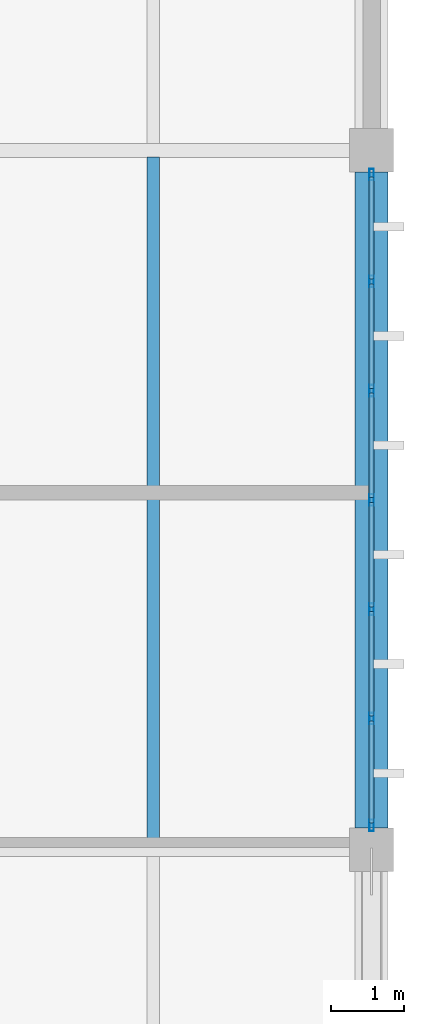
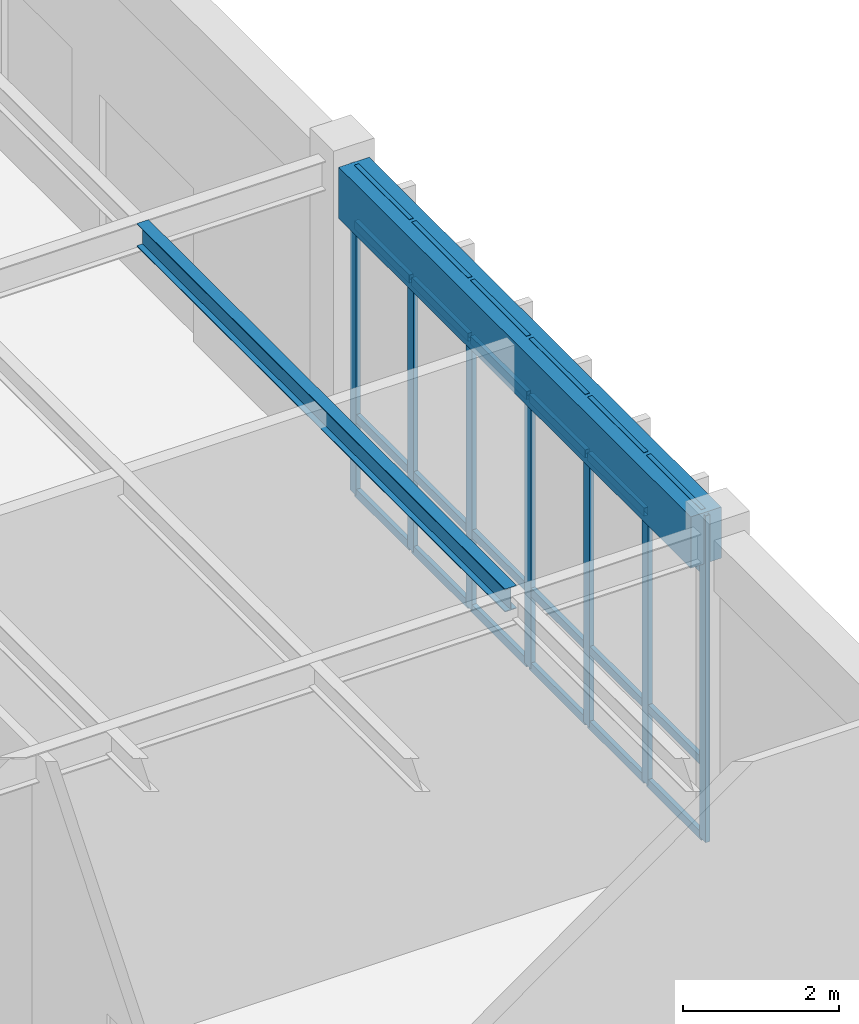
# One storey, part 108 of 188: 31 members, 2 beams, 1 element without a shape of its own.
"""IFC4 building model written with IfcOpenShell, lengths in metres."""

import ifcopenshell
import ifcopenshell.guid

model = None  # the IFC model being written
_history = None  # IfcOwnerHistory: only IFC2X3 demands one
_inside = {}  # id of a spatial element -> (the spatial element, [elements in it])
_under = {}  # id of a project, library or spatial element -> (it, [spatial elements below it])
_declared = {}  # id of a project -> (the project, [libraries it declares])
_typed = {}  # id of a type object -> (the type object, [elements of that type])
_made_of = {}  # id of a material, layer set ... -> (it, [elements and type objects made of it])


def new_model(schema):
    """Start an empty IFC model of exactly this schema.

    Asked for "IFC4X3", IfcOpenShell would pick the latest addendum, in which some entities
    have other attributes; the version numbers below select the first issue.
    IFC2X3 requires an IfcOwnerHistory on every rooted entity: one is made here for all.
    """
    global model, _history
    if schema == "IFC4X3":
        model = ifcopenshell.file(schema_version=(4, 3, 0, 0))
    else:
        model = ifcopenshell.file(schema=schema)
    _inside.clear()
    _under.clear()
    _declared.clear()
    _typed.clear()
    _made_of.clear()
    _history = None
    if model.schema == "IFC2X3":
        org = make("IfcOrganization", Name="unknown")
        user = make(
            "IfcPersonAndOrganization",
            ThePerson=make("IfcPerson", FamilyName="unknown"),
            TheOrganization=org,
        )
        app = make(
            "IfcApplication",
            ApplicationDeveloper=org,
            Version="unknown",
            ApplicationFullName="unknown",
            ApplicationIdentifier="unknown",
        )
        _history = make(
            "IfcOwnerHistory",
            OwningUser=user,
            OwningApplication=app,
            ChangeAction="ADDED",
            CreationDate=0,
        )
    return model


def make(cls, **values):
    """One entity of the class cls with the attributes given. An attribute that is None is left unset."""
    return model.create_entity(
        cls, **{name: value for name, value in values.items() if value is not None}
    )


def rooted(cls, **values):
    """An entity with a GlobalId (a new one), such as an element, a storey or a relation."""
    return make(cls, GlobalId=ifcopenshell.guid.new(), OwnerHistory=_history, **values)


def si_unit(unit_type, name, prefix=None):
    """IfcSIUnit, for example si_unit("LENGTHUNIT", "METRE", prefix="MILLI")."""
    return make("IfcSIUnit", UnitType=unit_type, Prefix=prefix, Name=name)


def assignment(units):
    """IfcUnitAssignment: the units of a project."""
    return None if units is None else make("IfcUnitAssignment", Units=units)


def point(xyz):
    """IfcCartesianPoint."""
    return None if xyz is None else make("IfcCartesianPoint", Coordinates=xyz)


def direction(xyz):
    """IfcDirection."""
    return None if xyz is None else make("IfcDirection", DirectionRatios=xyz)


def frame(location, z_axis=None, x_axis=None):
    """IfcAxis2Placement3D, a coordinate frame: its origin and axes. An axis left out is left unset."""
    return make(
        "IfcAxis2Placement3D",
        Location=point(location),
        Axis=direction(z_axis),
        RefDirection=direction(x_axis),
    )


def frame_2d(location, x_axis=None):
    """IfcAxis2Placement2D, a coordinate frame in the plane: its origin and x axis."""
    return make(
        "IfcAxis2Placement2D", Location=point(location), RefDirection=direction(x_axis)
    )


def origin():
    """The frame at (0, 0, 0) with its axes left unset."""
    return frame((0.0, 0.0, 0.0))


def origin_2d():
    """The frame at (0, 0) in the plane with its x axis left unset."""
    return frame_2d((0.0, 0.0))


def place(relative_to, where):
    """IfcLocalPlacement: puts the frame where relative to a parent placement (None: the world)."""
    return make(
        "IfcLocalPlacement", PlacementRelTo=relative_to, RelativePlacement=where
    )


def context(
    kind, dimensions, precision=None, world=None, true_north=None, identifier=None
):
    """IfcGeometricRepresentationContext, for example the 3D "Model" context."""
    return make(
        "IfcGeometricRepresentationContext",
        ContextIdentifier=identifier,
        ContextType=kind,
        CoordinateSpaceDimension=dimensions,
        Precision=precision,
        WorldCoordinateSystem=world,
        TrueNorth=true_north,
    )


def subcontext(parent, identifier, kind, view, scale=None):
    """IfcGeometricRepresentationSubContext, for example "Body" below "Model"."""
    return make(
        "IfcGeometricRepresentationSubContext",
        ContextIdentifier=identifier,
        ContextType=kind,
        ParentContext=parent,
        TargetScale=scale,
        TargetView=view,
    )


def project(units=None, contexts=None):
    """IfcProject with its units and contexts."""
    return rooted(
        "IfcProject",
        Name="project",
        RepresentationContexts=contexts,
        UnitsInContext=assignment(units),
    )


def spatial(cls, under=None, at=None, **own):
    """A site, building, storey or space (cls), placed at a placement, below another one or the project."""
    s = rooted(cls, ObjectPlacement=at, **own)
    if under is not None:
        _under.setdefault(under.id(), (under, []))[1].append(s)
    return s


def profile(cls, at=None, kind="AREA", **sizes):
    """A parametric profile (cls). Its sizes go by their IFC names, for example OverallWidth=200.0."""
    return make(cls, ProfileType=kind, Position=at, **sizes)


def rectangle(**sizes):
    """IfcRectangleProfileDef."""
    return profile("IfcRectangleProfileDef", **sizes)


def hollow_rectangle(**sizes):
    """IfcRectangleHollowProfileDef."""
    return profile("IfcRectangleHollowProfileDef", **sizes)


def i_section(**sizes):
    """IfcIShapeProfileDef."""
    return profile("IfcIShapeProfileDef", **sizes)


def extrude(swept, where, along, depth):
    """IfcExtrudedAreaSolid: the profile swept, set in the frame where, extruded along a direction by depth."""
    return make(
        "IfcExtrudedAreaSolid",
        SweptArea=swept,
        Position=where,
        ExtrudedDirection=direction(along),
        Depth=depth,
    )


def shape(context_of_items, identifier, shape_type, items):
    """IfcShapeRepresentation: the items that make up one representation, for example the "Body"."""
    return make(
        "IfcShapeRepresentation",
        ContextOfItems=context_of_items,
        RepresentationIdentifier=identifier,
        RepresentationType=shape_type,
        Items=items,
    )


def material(Name=None, Category=None):
    """IfcMaterial."""
    return make("IfcMaterial", Name=Name, Category=Category)


def layer(
    of_material, thickness, ventilated=None, Name=None, Category=None, Priority=None
):
    """IfcMaterialLayer: one layer of a wall or slab, of a material (None: an air gap)."""
    return make(
        "IfcMaterialLayer",
        Material=of_material,
        LayerThickness=thickness,
        IsVentilated=ventilated,
        Name=Name,
        Category=Category,
        Priority=Priority,
    )


def layer_set(layers, Name=None):
    """IfcMaterialLayerSet."""
    return make("IfcMaterialLayerSet", MaterialLayers=layers, LayerSetName=Name)


def material_profile(
    of_material, cross_section, Name=None, Category=None, Priority=None
):
    """IfcMaterialProfile: a cross section and its material."""
    return make(
        "IfcMaterialProfile",
        Name=Name,
        Material=of_material,
        Profile=cross_section,
        Priority=Priority,
        Category=Category,
    )


def profile_set(profiles, Name=None, composite=None):
    """IfcMaterialProfileSet."""
    return make(
        "IfcMaterialProfileSet",
        Name=Name,
        MaterialProfiles=profiles,
        CompositeProfile=composite,
    )


def made_of(thing, what):
    """Note that an element or type object is made of a material, layer set ...; save() writes the relation."""
    if what is not None:
        _made_of.setdefault(what.id(), (what, []))[1].append(thing)
    return thing


def type_object(cls, material=None, **own):
    """A type object (cls), such as IfcWallType, which elements share."""
    return made_of(rooted(cls, **own), material)


def element(
    cls,
    number,
    at=None,
    inside=None,
    cuts=None,
    type_object=None,
    material=None,
    context=None,
    identifier="Body",
    shape_type=None,
    held_by="IfcProductDefinitionShape",
    body=None,
    shapes=None,
    **own,
):
    """One element of the class cls, such as IfcWall. Its Tag is "e" and its number.

    at: its placement. inside: the storey or other place that contains it. cuts: it is an
    opening in that element (IfcRelVoidsElement). A single representation is given by context,
    identifier, shape_type and body (its items); several are given by shapes. held_by: the class
    of the entity that holds the representations. save() writes the other relations.
    """
    e = rooted(cls, Tag="e%d" % number, ObjectPlacement=at, **own)
    if body is not None:
        shapes = [shape(context, identifier, shape_type, body)]
    if shapes is not None:
        e.Representation = make(held_by, Representations=shapes)
    if inside is not None:
        _inside.setdefault(inside.id(), (inside, []))[1].append(e)
    if cuts is not None:
        rooted(
            "IfcRelVoidsElement", RelatingBuildingElement=cuts, RelatedOpeningElement=e
        )
    if type_object is not None:
        _typed.setdefault(type_object.id(), (type_object, []))[1].append(e)
    return made_of(e, material)


def aggregate(whole, parts):
    """IfcRelAggregates: a whole, such as a stair, and the parts it consists of."""
    return rooted("IfcRelAggregates", RelatingObject=whole, RelatedObjects=parts)


def save(model, path):
    """Write the relations noted so far, then the file.

    IfcRelAggregates (storeys below a building ...), IfcRelContainedInSpatialStructure (elements
    in a storey), IfcRelDefinesByType, IfcRelAssociatesMaterial and IfcRelDeclares: one each for
    every whole, place, type object, material and project.
    """
    for whole, parts in _under.values():
        aggregate(whole, parts)
    for where, things in _inside.values():
        rooted(
            "IfcRelContainedInSpatialStructure",
            RelatedElements=things,
            RelatingStructure=where,
        )
    for kind, things in _typed.values():
        rooted("IfcRelDefinesByType", RelatedObjects=things, RelatingType=kind)
    for what, things in _made_of.values():
        rooted("IfcRelAssociatesMaterial", RelatedObjects=things, RelatingMaterial=what)
    for by, libraries in _declared.values():
        rooted("IfcRelDeclares", RelatingContext=by, RelatedDefinitions=libraries)
    model.write(path)


model = new_model("IFC4")

# Units and contexts
model_context = context("Model", 3, precision=1e-05, world=origin(), true_north=direction((0.0, 1.0)))
body_context = subcontext(model_context, "Body", "Model", "MODEL_VIEW")
ifc_project = project(units=[si_unit("LENGTHUNIT", "METRE"), si_unit("AREAUNIT", "SQUARE_METRE"), si_unit("VOLUMEUNIT", "CUBIC_METRE"), si_unit("PLANEANGLEUNIT", "RADIAN"), si_unit("MASSUNIT", "GRAM", prefix="KILO")], contexts=[model_context])

# Site, building, storey
site_placement = place(None, origin())
site = spatial("IfcSite", under=ifc_project, at=site_placement, CompositionType="ELEMENT")
building_placement = place(site_placement, origin())
building = spatial("IfcBuilding", under=site, at=building_placement, Name="Pandanus Reach Market Hall", CompositionType="ELEMENT")
storey_placement = place(building_placement, origin())
storey = spatial("IfcBuildingStorey", under=building, at=storey_placement, Name="L00", CompositionType="ELEMENT", Elevation=0.0)

# Beam
ifc_material_1 = material(Name="Concrete N40 (40 MPa)", Category="concrete")
ifc_material_profile_1 = material_profile(ifc_material_1, rectangle(XDim=0.449951171875, YDim=0.800048828125, at=origin_2d()), Name="RC450x800", Category="LoadBearing")
ifc_profile_set_1 = profile_set([ifc_material_profile_1], Name="Concrete N40 (40 MPa)")
beam_type_1 = type_object("IfcBeamType", Name="BM-RC450-E", PredefinedType="SPANDREL", material=ifc_profile_set_1)
beam_1_placement = place(storey_placement, frame((180.0, 48.298095703125, 4.72509765625), z_axis=(0.0, 1.0, 0.0), x_axis=(-1.0, 0.0, 0.0)))
element("IfcBeam", 1, at=beam_1_placement, inside=storey, type_object=beam_type_1, Name="Framing beam BM-RC450-E L00.223", PredefinedType="SPANDREL", context=body_context, shape_type="SweptSolid", body=[
    extrude(rectangle(XDim=0.449951171875, YDim=0.800048828125, at=origin_2d()), origin(), (0.0, 0.0, 1.0), 9.00390625),
])

# Curtain wall, members
ifc_material_2 = material(Name="Bronze anodised aluminium and low-E glass", Category="aluminium")
ifc_layer = layer(ifc_material_2, 0.159912109375, Name="CW-25")
ifc_layer_set = layer_set([ifc_layer], Name="Bronze anodised aluminium and low-E glass")
curtain_wall_type = type_object("IfcCurtainWallType", Name="CW-25", PredefinedType="NOTDEFINED", material=ifc_layer_set)
curtain_wall_placement = place(storey_placement, origin())
curtain_wall = element("IfcCurtainWall", 2, at=curtain_wall_placement, inside=storey, type_object=curtain_wall_type, Name="Glazed curtain wall CW-25 CW-0072", PredefinedType="NOTDEFINED")
ifc_material_3 = material(Name="Bronze anodised aluminium", Category="aluminium")
ifc_material_profile_2 = material_profile(ifc_material_3, hollow_rectangle(XDim=0.06494140625, YDim=0.159912109375, WallThickness=0.00390625, at=origin_2d()), Name="ALU65x160", Category="LoadBearing")
ifc_profile_set_2 = profile_set([ifc_material_profile_2], Name="Bronze anodised aluminium")
member_type_1 = type_object("IfcMemberType", Name="CW-M1", PredefinedType="MULLION", material=ifc_profile_set_2)
member_1_placement = place(storey_placement, frame((180.0, 48.33251953125, 0.0), z_axis=(0.0, 0.0, 1.0), x_axis=(-1.0, 0.0, 0.0)))
member_1 = element("IfcMember", 3, at=member_1_placement, type_object=member_type_1, Name="CW-25 mullion 1", PredefinedType="MULLION", context=body_context, shape_type="SweptSolid", body=[
    extrude(hollow_rectangle(XDim=0.06494140625, YDim=0.159912109375, WallThickness=0.00390625, at=origin_2d()), origin(), (0.0, 0.0, 1.0), 5.10009765625),
])
member_2_placement = place(storey_placement, frame((180.0, 49.800048828125, 0.0), z_axis=(0.0, 0.0, 1.0), x_axis=(-1.0, 0.0, 0.0)))
member_2 = element("IfcMember", 4, at=member_2_placement, type_object=member_type_1, Name="CW-25 mullion 2", PredefinedType="MULLION", context=body_context, shape_type="SweptSolid", body=[
    extrude(hollow_rectangle(XDim=0.06494140625, YDim=0.159912109375, WallThickness=0.00390625, at=origin_2d()), origin(), (0.0, 0.0, 1.0), 5.10009765625),
])
member_3_placement = place(storey_placement, frame((180.0, 51.300048828125, 0.0), z_axis=(0.0, 0.0, 1.0), x_axis=(-1.0, 0.0, 0.0)))
member_3 = element("IfcMember", 5, at=member_3_placement, type_object=member_type_1, Name="CW-25 mullion 3", PredefinedType="MULLION", context=body_context, shape_type="SweptSolid", body=[
    extrude(hollow_rectangle(XDim=0.06494140625, YDim=0.159912109375, WallThickness=0.00390625, at=origin_2d()), origin(), (0.0, 0.0, 1.0), 5.10009765625),
])
member_4_placement = place(storey_placement, frame((180.0, 52.800048828125, 0.0), z_axis=(0.0, 0.0, 1.0), x_axis=(-1.0, 0.0, 0.0)))
member_4 = element("IfcMember", 6, at=member_4_placement, type_object=member_type_1, Name="CW-25 mullion 4", PredefinedType="MULLION", context=body_context, shape_type="SweptSolid", body=[
    extrude(hollow_rectangle(XDim=0.06494140625, YDim=0.159912109375, WallThickness=0.00390625, at=origin_2d()), origin(), (0.0, 0.0, 1.0), 5.10009765625),
])
member_5_placement = place(storey_placement, frame((180.0, 54.300048828125, 0.0), z_axis=(0.0, 0.0, 1.0), x_axis=(-1.0, 0.0, 0.0)))
member_5 = element("IfcMember", 7, at=member_5_placement, type_object=member_type_1, Name="CW-25 mullion 5", PredefinedType="MULLION", context=body_context, shape_type="SweptSolid", body=[
    extrude(hollow_rectangle(XDim=0.06494140625, YDim=0.159912109375, WallThickness=0.00390625, at=origin_2d()), origin(), (0.0, 0.0, 1.0), 5.10009765625),
])
member_6_placement = place(storey_placement, frame((180.0, 55.800048828125, 0.0), z_axis=(0.0, 0.0, 1.0), x_axis=(-1.0, 0.0, 0.0)))
member_6 = element("IfcMember", 8, at=member_6_placement, type_object=member_type_1, Name="CW-25 mullion 6", PredefinedType="MULLION", context=body_context, shape_type="SweptSolid", body=[
    extrude(hollow_rectangle(XDim=0.06494140625, YDim=0.159912109375, WallThickness=0.00390625, at=origin_2d()), origin(), (0.0, 0.0, 1.0), 5.10009765625),
])
member_7_placement = place(storey_placement, frame((180.0, 57.267578125, 0.0), z_axis=(0.0, 0.0, 1.0), x_axis=(-1.0, 0.0, 0.0)))
member_7 = element("IfcMember", 9, at=member_7_placement, type_object=member_type_1, Name="CW-25 mullion 7", PredefinedType="MULLION", context=body_context, shape_type="SweptSolid", body=[
    extrude(hollow_rectangle(XDim=0.06494140625, YDim=0.159912109375, WallThickness=0.00390625, at=origin_2d()), origin(), (0.0, 0.0, 1.0), 5.10009765625),
])
ifc_material_profile_3 = material_profile(ifc_material_3, hollow_rectangle(XDim=0.06494140625, YDim=0.1298828125, WallThickness=0.00390625, at=origin_2d()), Name="ALU65x130", Category="LoadBearing")
ifc_profile_set_3 = profile_set([ifc_material_profile_3], Name="Bronze anodised aluminium")
member_type_2 = type_object("IfcMemberType", Name="CW-T1", PredefinedType="USERDEFINED", material=ifc_profile_set_3)
member_8_placement = place(storey_placement, frame((180.0, 48.364990234375, 0.032470703125), z_axis=(0.0, 1.0, 0.0), x_axis=(-1.0, 0.0, 0.0)))
member_8 = element("IfcMember", 10, at=member_8_placement, type_object=member_type_2, Name="CW-25 transom 1.1", ObjectType="TRANSOM", PredefinedType="USERDEFINED", context=body_context, shape_type="SweptSolid", body=[
    extrude(hollow_rectangle(XDim=0.06494140625, YDim=0.1298828125, WallThickness=0.00390625, at=origin_2d()), origin(), (0.0, 0.0, 1.0), 1.402587890625),
])
member_9_placement = place(storey_placement, frame((180.0, 48.364990234375, 1.199951171875), z_axis=(0.0, 1.0, 0.0), x_axis=(-1.0, 0.0, 0.0)))
member_9 = element("IfcMember", 11, at=member_9_placement, type_object=member_type_2, Name="CW-25 transom 1.2", ObjectType="TRANSOM", PredefinedType="USERDEFINED", context=body_context, shape_type="SweptSolid", body=[
    extrude(hollow_rectangle(XDim=0.06494140625, YDim=0.1298828125, WallThickness=0.00390625, at=origin_2d()), origin(), (0.0, 0.0, 1.0), 1.402587890625),
])
member_10_placement = place(storey_placement, frame((180.0, 48.364990234375, 4.199951171875), z_axis=(0.0, 1.0, 0.0), x_axis=(-1.0, 0.0, 0.0)))
member_10 = element("IfcMember", 12, at=member_10_placement, type_object=member_type_2, Name="CW-25 transom 1.3", ObjectType="TRANSOM", PredefinedType="USERDEFINED", context=body_context, shape_type="SweptSolid", body=[
    extrude(hollow_rectangle(XDim=0.06494140625, YDim=0.1298828125, WallThickness=0.00390625, at=origin_2d()), origin(), (0.0, 0.0, 1.0), 1.402587890625),
])
member_11_placement = place(storey_placement, frame((180.0, 48.364990234375, 5.0673828125), z_axis=(0.0, 1.0, 0.0), x_axis=(-1.0, 0.0, 0.0)))
member_11 = element("IfcMember", 13, at=member_11_placement, type_object=member_type_2, Name="CW-25 transom 1.4", ObjectType="TRANSOM", PredefinedType="USERDEFINED", context=body_context, shape_type="SweptSolid", body=[
    extrude(hollow_rectangle(XDim=0.06494140625, YDim=0.1298828125, WallThickness=0.00390625, at=origin_2d()), origin(), (0.0, 0.0, 1.0), 1.402587890625),
])
member_12_placement = place(storey_placement, frame((180.0, 49.83251953125, 0.032470703125), z_axis=(0.0, 1.0, 0.0), x_axis=(-1.0, 0.0, 0.0)))
member_12 = element("IfcMember", 14, at=member_12_placement, type_object=member_type_2, Name="CW-25 transom 2.1", ObjectType="TRANSOM", PredefinedType="USERDEFINED", context=body_context, shape_type="SweptSolid", body=[
    extrude(hollow_rectangle(XDim=0.06494140625, YDim=0.1298828125, WallThickness=0.00390625, at=origin_2d()), origin(), (0.0, 0.0, 1.0), 1.43505859375),
])
member_13_placement = place(storey_placement, frame((180.0, 49.83251953125, 1.199951171875), z_axis=(0.0, 1.0, 0.0), x_axis=(-1.0, 0.0, 0.0)))
member_13 = element("IfcMember", 15, at=member_13_placement, type_object=member_type_2, Name="CW-25 transom 2.2", ObjectType="TRANSOM", PredefinedType="USERDEFINED", context=body_context, shape_type="SweptSolid", body=[
    extrude(hollow_rectangle(XDim=0.06494140625, YDim=0.1298828125, WallThickness=0.00390625, at=origin_2d()), origin(), (0.0, 0.0, 1.0), 1.43505859375),
])
member_14_placement = place(storey_placement, frame((180.0, 49.83251953125, 4.199951171875), z_axis=(0.0, 1.0, 0.0), x_axis=(-1.0, 0.0, 0.0)))
member_14 = element("IfcMember", 16, at=member_14_placement, type_object=member_type_2, Name="CW-25 transom 2.3", ObjectType="TRANSOM", PredefinedType="USERDEFINED", context=body_context, shape_type="SweptSolid", body=[
    extrude(hollow_rectangle(XDim=0.06494140625, YDim=0.1298828125, WallThickness=0.00390625, at=origin_2d()), origin(), (0.0, 0.0, 1.0), 1.43505859375),
])
member_15_placement = place(storey_placement, frame((180.0, 49.83251953125, 5.0673828125), z_axis=(0.0, 1.0, 0.0), x_axis=(-1.0, 0.0, 0.0)))
member_15 = element("IfcMember", 17, at=member_15_placement, type_object=member_type_2, Name="CW-25 transom 2.4", ObjectType="TRANSOM", PredefinedType="USERDEFINED", context=body_context, shape_type="SweptSolid", body=[
    extrude(hollow_rectangle(XDim=0.06494140625, YDim=0.1298828125, WallThickness=0.00390625, at=origin_2d()), origin(), (0.0, 0.0, 1.0), 1.43505859375),
])
member_16_placement = place(storey_placement, frame((180.0, 51.33251953125, 0.032470703125), z_axis=(0.0, 1.0, 0.0), x_axis=(-1.0, 0.0, 0.0)))
member_16 = element("IfcMember", 18, at=member_16_placement, type_object=member_type_2, Name="CW-25 transom 3.1", ObjectType="TRANSOM", PredefinedType="USERDEFINED", context=body_context, shape_type="SweptSolid", body=[
    extrude(hollow_rectangle(XDim=0.06494140625, YDim=0.1298828125, WallThickness=0.00390625, at=origin_2d()), origin(), (0.0, 0.0, 1.0), 1.43505859375),
])
member_17_placement = place(storey_placement, frame((180.0, 51.33251953125, 1.199951171875), z_axis=(0.0, 1.0, 0.0), x_axis=(-1.0, 0.0, 0.0)))
member_17 = element("IfcMember", 19, at=member_17_placement, type_object=member_type_2, Name="CW-25 transom 3.2", ObjectType="TRANSOM", PredefinedType="USERDEFINED", context=body_context, shape_type="SweptSolid", body=[
    extrude(hollow_rectangle(XDim=0.06494140625, YDim=0.1298828125, WallThickness=0.00390625, at=origin_2d()), origin(), (0.0, 0.0, 1.0), 1.43505859375),
])
member_18_placement = place(storey_placement, frame((180.0, 51.33251953125, 4.199951171875), z_axis=(0.0, 1.0, 0.0), x_axis=(-1.0, 0.0, 0.0)))
member_18 = element("IfcMember", 20, at=member_18_placement, type_object=member_type_2, Name="CW-25 transom 3.3", ObjectType="TRANSOM", PredefinedType="USERDEFINED", context=body_context, shape_type="SweptSolid", body=[
    extrude(hollow_rectangle(XDim=0.06494140625, YDim=0.1298828125, WallThickness=0.00390625, at=origin_2d()), origin(), (0.0, 0.0, 1.0), 1.43505859375),
])
member_19_placement = place(storey_placement, frame((180.0, 51.33251953125, 5.0673828125), z_axis=(0.0, 1.0, 0.0), x_axis=(-1.0, 0.0, 0.0)))
member_19 = element("IfcMember", 21, at=member_19_placement, type_object=member_type_2, Name="CW-25 transom 3.4", ObjectType="TRANSOM", PredefinedType="USERDEFINED", context=body_context, shape_type="SweptSolid", body=[
    extrude(hollow_rectangle(XDim=0.06494140625, YDim=0.1298828125, WallThickness=0.00390625, at=origin_2d()), origin(), (0.0, 0.0, 1.0), 1.43505859375),
])
member_20_placement = place(storey_placement, frame((180.0, 52.83251953125, 0.032470703125), z_axis=(0.0, 1.0, 0.0), x_axis=(-1.0, 0.0, 0.0)))
member_20 = element("IfcMember", 22, at=member_20_placement, type_object=member_type_2, Name="CW-25 transom 4.1", ObjectType="TRANSOM", PredefinedType="USERDEFINED", context=body_context, shape_type="SweptSolid", body=[
    extrude(hollow_rectangle(XDim=0.06494140625, YDim=0.1298828125, WallThickness=0.00390625, at=origin_2d()), origin(), (0.0, 0.0, 1.0), 1.43505859375),
])
member_21_placement = place(storey_placement, frame((180.0, 52.83251953125, 1.199951171875), z_axis=(0.0, 1.0, 0.0), x_axis=(-1.0, 0.0, 0.0)))
member_21 = element("IfcMember", 23, at=member_21_placement, type_object=member_type_2, Name="CW-25 transom 4.2", ObjectType="TRANSOM", PredefinedType="USERDEFINED", context=body_context, shape_type="SweptSolid", body=[
    extrude(hollow_rectangle(XDim=0.06494140625, YDim=0.1298828125, WallThickness=0.00390625, at=origin_2d()), origin(), (0.0, 0.0, 1.0), 1.43505859375),
])
member_22_placement = place(storey_placement, frame((180.0, 52.83251953125, 4.199951171875), z_axis=(0.0, 1.0, 0.0), x_axis=(-1.0, 0.0, 0.0)))
member_22 = element("IfcMember", 24, at=member_22_placement, type_object=member_type_2, Name="CW-25 transom 4.3", ObjectType="TRANSOM", PredefinedType="USERDEFINED", context=body_context, shape_type="SweptSolid", body=[
    extrude(hollow_rectangle(XDim=0.06494140625, YDim=0.1298828125, WallThickness=0.00390625, at=origin_2d()), origin(), (0.0, 0.0, 1.0), 1.43505859375),
])
member_23_placement = place(storey_placement, frame((180.0, 52.83251953125, 5.0673828125), z_axis=(0.0, 1.0, 0.0), x_axis=(-1.0, 0.0, 0.0)))
member_23 = element("IfcMember", 25, at=member_23_placement, type_object=member_type_2, Name="CW-25 transom 4.4", ObjectType="TRANSOM", PredefinedType="USERDEFINED", context=body_context, shape_type="SweptSolid", body=[
    extrude(hollow_rectangle(XDim=0.06494140625, YDim=0.1298828125, WallThickness=0.00390625, at=origin_2d()), origin(), (0.0, 0.0, 1.0), 1.43505859375),
])
member_24_placement = place(storey_placement, frame((180.0, 54.33251953125, 0.032470703125), z_axis=(0.0, 1.0, 0.0), x_axis=(-1.0, 0.0, 0.0)))
member_24 = element("IfcMember", 26, at=member_24_placement, type_object=member_type_2, Name="CW-25 transom 5.1", ObjectType="TRANSOM", PredefinedType="USERDEFINED", context=body_context, shape_type="SweptSolid", body=[
    extrude(hollow_rectangle(XDim=0.06494140625, YDim=0.1298828125, WallThickness=0.00390625, at=origin_2d()), origin(), (0.0, 0.0, 1.0), 1.43505859375),
])
member_25_placement = place(storey_placement, frame((180.0, 54.33251953125, 1.199951171875), z_axis=(0.0, 1.0, 0.0), x_axis=(-1.0, 0.0, 0.0)))
member_25 = element("IfcMember", 27, at=member_25_placement, type_object=member_type_2, Name="CW-25 transom 5.2", ObjectType="TRANSOM", PredefinedType="USERDEFINED", context=body_context, shape_type="SweptSolid", body=[
    extrude(hollow_rectangle(XDim=0.06494140625, YDim=0.1298828125, WallThickness=0.00390625, at=origin_2d()), origin(), (0.0, 0.0, 1.0), 1.43505859375),
])
member_26_placement = place(storey_placement, frame((180.0, 54.33251953125, 4.199951171875), z_axis=(0.0, 1.0, 0.0), x_axis=(-1.0, 0.0, 0.0)))
member_26 = element("IfcMember", 28, at=member_26_placement, type_object=member_type_2, Name="CW-25 transom 5.3", ObjectType="TRANSOM", PredefinedType="USERDEFINED", context=body_context, shape_type="SweptSolid", body=[
    extrude(hollow_rectangle(XDim=0.06494140625, YDim=0.1298828125, WallThickness=0.00390625, at=origin_2d()), origin(), (0.0, 0.0, 1.0), 1.43505859375),
])
member_27_placement = place(storey_placement, frame((180.0, 54.33251953125, 5.0673828125), z_axis=(0.0, 1.0, 0.0), x_axis=(-1.0, 0.0, 0.0)))
member_27 = element("IfcMember", 29, at=member_27_placement, type_object=member_type_2, Name="CW-25 transom 5.4", ObjectType="TRANSOM", PredefinedType="USERDEFINED", context=body_context, shape_type="SweptSolid", body=[
    extrude(hollow_rectangle(XDim=0.06494140625, YDim=0.1298828125, WallThickness=0.00390625, at=origin_2d()), origin(), (0.0, 0.0, 1.0), 1.43505859375),
])
member_28_placement = place(storey_placement, frame((180.0, 55.83251953125, 0.032470703125), z_axis=(0.0, 1.0, 0.0), x_axis=(-1.0, 0.0, 0.0)))
member_28 = element("IfcMember", 30, at=member_28_placement, type_object=member_type_2, Name="CW-25 transom 6.1", ObjectType="TRANSOM", PredefinedType="USERDEFINED", context=body_context, shape_type="SweptSolid", body=[
    extrude(hollow_rectangle(XDim=0.06494140625, YDim=0.1298828125, WallThickness=0.00390625, at=origin_2d()), origin(), (0.0, 0.0, 1.0), 1.402587890625),
])
member_29_placement = place(storey_placement, frame((180.0, 55.83251953125, 1.199951171875), z_axis=(0.0, 1.0, 0.0), x_axis=(-1.0, 0.0, 0.0)))
member_29 = element("IfcMember", 31, at=member_29_placement, type_object=member_type_2, Name="CW-25 transom 6.2", ObjectType="TRANSOM", PredefinedType="USERDEFINED", context=body_context, shape_type="SweptSolid", body=[
    extrude(hollow_rectangle(XDim=0.06494140625, YDim=0.1298828125, WallThickness=0.00390625, at=origin_2d()), origin(), (0.0, 0.0, 1.0), 1.402587890625),
])
member_30_placement = place(storey_placement, frame((180.0, 55.83251953125, 4.199951171875), z_axis=(0.0, 1.0, 0.0), x_axis=(-1.0, 0.0, 0.0)))
member_30 = element("IfcMember", 32, at=member_30_placement, type_object=member_type_2, Name="CW-25 transom 6.3", ObjectType="TRANSOM", PredefinedType="USERDEFINED", context=body_context, shape_type="SweptSolid", body=[
    extrude(hollow_rectangle(XDim=0.06494140625, YDim=0.1298828125, WallThickness=0.00390625, at=origin_2d()), origin(), (0.0, 0.0, 1.0), 1.402587890625),
])
member_31_placement = place(storey_placement, frame((180.0, 55.83251953125, 5.0673828125), z_axis=(0.0, 1.0, 0.0), x_axis=(-1.0, 0.0, 0.0)))
member_31 = element("IfcMember", 33, at=member_31_placement, type_object=member_type_2, Name="CW-25 transom 6.4", ObjectType="TRANSOM", PredefinedType="USERDEFINED", context=body_context, shape_type="SweptSolid", body=[
    extrude(hollow_rectangle(XDim=0.06494140625, YDim=0.1298828125, WallThickness=0.00390625, at=origin_2d()), origin(), (0.0, 0.0, 1.0), 1.402587890625),
])
aggregate(curtain_wall, [member_1, member_2, member_3, member_4, member_5, member_6, member_7, member_8, member_9, member_10, member_11, member_12, member_13, member_14, member_15, member_16, member_17, member_18, member_19, member_20, member_21, member_22, member_23, member_24, member_25, member_26, member_27, member_28, member_29, member_30, member_31])

# Beam
ifc_material_4 = material(Name="Steel Grade 350 (350 MPa)", Category="steel")
ifc_material_profile_4 = material_profile(ifc_material_4, i_section(OverallWidth=0.172119140625, OverallDepth=0.35888671875, WebThickness=0.008056640625, FlangeThickness=0.012939453125, at=origin_2d()), Name="360UB56.7", Category="LoadBearing")
ifc_profile_set_4 = profile_set([ifc_material_profile_4], Name="Steel Grade 350 (350 MPa)")
beam_type_2 = type_object("IfcBeamType", Name="JS-UB360H-I", PredefinedType="JOIST", material=ifc_profile_set_4)
beam_2_placement = place(storey_placement, frame((177.0, 48.093505859375, 4.945068359375), z_axis=(0.0, 1.0, 0.0), x_axis=(-1.0, 0.0, 0.0)))
element("IfcBeam", 34, at=beam_2_placement, inside=storey, type_object=beam_type_2, Name="Secondary joist JS-UB360H-I L00.296", PredefinedType="JOIST", context=body_context, shape_type="SweptSolid", body=[
    extrude(i_section(OverallWidth=0.172119140625, OverallDepth=0.35888671875, WebThickness=0.008056640625, FlangeThickness=0.012939453125, at=origin_2d()), origin(), (0.0, 0.0, 1.0), 9.4130859375),
])

save(model, "model.ifc")
